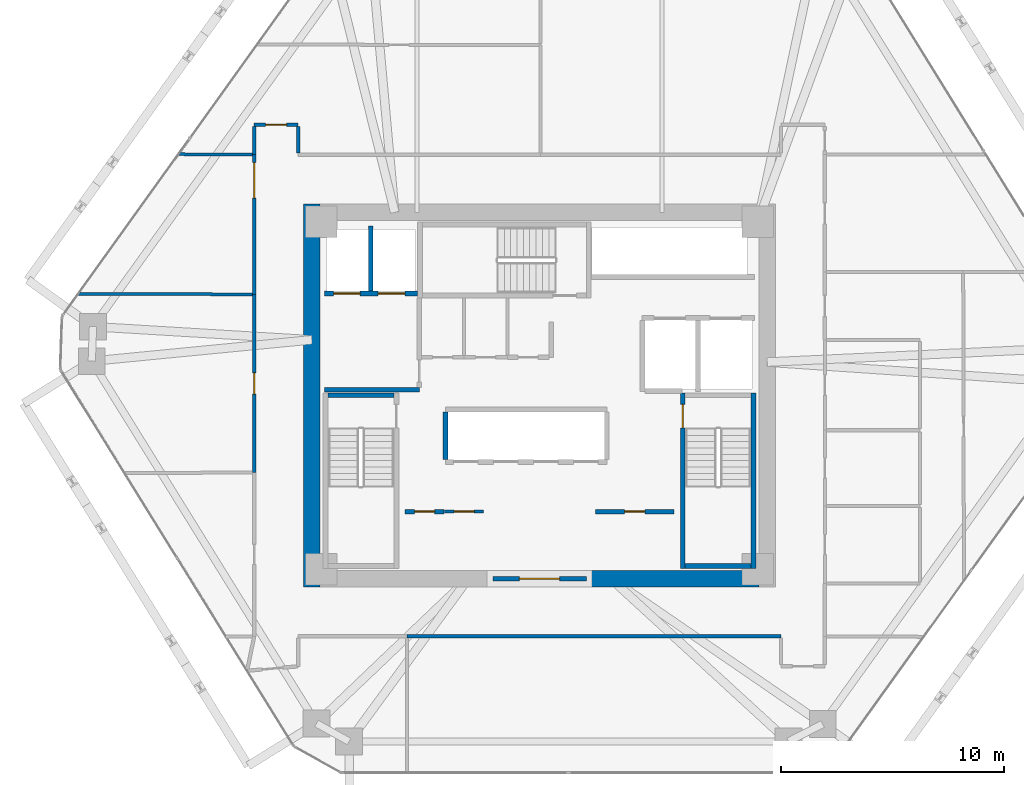
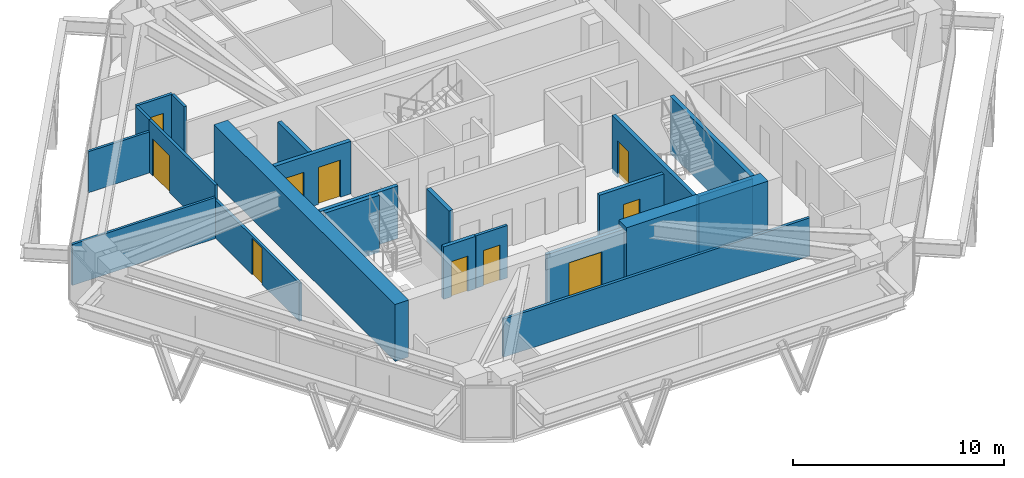
# One storey, part 10 of 13: 22 walls, 10 doors, 10 openings.
"""IFC4 building model written with IfcOpenShell, lengths in metres."""

from ifc_helpers import new_model, si_unit, direction, frame, frame_2d, origin, place, context, subcontext, project, spatial, rectangle, extrude, source, transform, mapped, material, layer, layer_set, type_object, type_shapes, element, fill, save


model = new_model("IFC4")

# Units and contexts
model_context = context("Model", 3, precision=1e-05, world=origin(), true_north=direction((0.0, 1.0)))
body_context = subcontext(model_context, "Body", "Model", "MODEL_VIEW")
ifc_project = project(units=[si_unit("LENGTHUNIT", "METRE"), si_unit("AREAUNIT", "SQUARE_METRE"), si_unit("VOLUMEUNIT", "CUBIC_METRE"), si_unit("PLANEANGLEUNIT", "RADIAN"), si_unit("MASSUNIT", "GRAM", prefix="KILO")], contexts=[model_context])

# Site, building, storey
site_placement = place(None, origin())
site = spatial("IfcSite", under=ifc_project, at=site_placement, CompositionType="ELEMENT")
building_placement = place(site_placement, origin())
building = spatial("IfcBuilding", under=site, at=building_placement, Name="Durnholm Broadcast Tower", CompositionType="ELEMENT")
storey_placement = place(building_placement, frame((0.0, 0.0, 133.800048828125)))
storey = spatial("IfcBuildingStorey", under=building, at=storey_placement, Name="L36", CompositionType="ELEMENT", Elevation=133.800048828125)

# Walls
ifc_material_1 = material(Name="Concrete C70/85", Category="concrete")
ifc_layer_1 = layer(ifc_material_1, 0.75)
ifc_layer_set_1 = layer_set([ifc_layer_1], Name="Concrete C70/85")
wall_type_1 = type_object("IfcWallType", Name="WALL-CW-750", PredefinedType="SHEAR", material=ifc_layer_set_1)
wall_1_placement = place(storey_placement, frame((-10.22509765625, -8.60009765625, 0.0), z_axis=(0.0, 0.0, 1.0), x_axis=(0.0, 1.0, 0.0)))
element("IfcWall", 1, at=wall_1_placement, inside=storey, type_object=wall_type_1, Name="L36 central core shear wall CW-WEST", PredefinedType="SHEAR", context=body_context, shape_type="SweptSolid", body=[
    extrude(rectangle(XDim=17.2001953125, YDim=0.75, at=frame_2d((8.60009765625, 0.0))), origin(), (0.0, 0.0, 1.0), 3.300048828125),
])
wall_2_placement = place(storey_placement, frame((2.10009765625, -8.22509765625, 0.0), z_axis=(0.0, 0.0, 1.0), x_axis=(1.0, 0.0, 0.0)))
element("IfcWall", 2, at=wall_2_placement, inside=storey, type_object=wall_type_1, Name="L36 central core shear wall CW-S2", PredefinedType="SHEAR", context=body_context, shape_type="SweptSolid", body=[
    extrude(rectangle(XDim=7.75, YDim=0.75, at=frame_2d((3.875, 0.0))), origin(), (0.0, 0.0, 1.0), 3.300048828125),
])

# Wall, opening, door
ifc_material_2 = material(Name="Fire-Rated Gypsum Shaftwall", Category="concrete")
ifc_layer_2 = layer(ifc_material_2, 0.199951171875)
ifc_layer_set_2 = layer_set([ifc_layer_2], Name="Fire-Rated Gypsum Shaftwall")
wall_type_2 = type_object("IfcWallType", Name="WALL-LOB-200", PredefinedType="SOLIDWALL", material=ifc_layer_set_2)
wall_3_placement = place(storey_placement, frame((-2.10009765625, -8.22509765625, 0.0), z_axis=(0.0, 0.0, 1.0), x_axis=(1.0, 0.0, 0.0)))
wall_3 = element("IfcWall", 3, at=wall_3_placement, inside=storey, type_object=wall_type_2, Name="L36 south core lobby fire screen", PredefinedType="SOLIDWALL", context=body_context, shape_type="SweptSolid", body=[
    extrude(rectangle(XDim=4.2001953125, YDim=0.199951171875, at=frame_2d((2.10009765625, 0.0))), origin(), (0.0, 0.0, 1.0), 3.044921875),
])
opening_1_placement = place(wall_3_placement, frame((1.199951171875, 0.0, 0.0)))
opening_1 = element("IfcOpeningElement", 4, at=opening_1_placement, cuts=wall_3, Name="Opening DP-60", PredefinedType="OPENING", context=body_context, shape_type="SweptSolid", body=[
    extrude(rectangle(XDim=1.800048828125, YDim=2.14990234375, at=frame_2d((0.89990234375, 1.074951171875))), frame((0.0, 0.10986328125, 0.0), z_axis=(0.0, -1.0, 0.0), x_axis=(1.0, 0.0, 0.0)), (0.0, 0.0, 1.0), 0.219970703125),
])
ifc_material_3 = material(Name="Fire-Rated Double Corridor Door", Category="steel")
ifc_layer_3 = layer(ifc_material_3, 0.050048828125)
ifc_layer_set_3 = layer_set([ifc_layer_3], Name="Fire-Rated Double Corridor Door")
door_type_1 = type_object("IfcDoorType", Name="DOOR-PAIR-FD60", OperationType="DOUBLE_DOOR_SINGLE_SWING", PredefinedType="DOOR", material=ifc_layer_set_3)
shared_shape_1 = source(origin(), body_context, "Body", "SweptSolid", [
    extrude(rectangle(XDim=1.800048828125, YDim=2.14990234375, at=frame_2d((0.89990234375, 1.074951171875))), frame((0.0, 0.02490234375, 0.0), z_axis=(0.0, -1.0, 0.0), x_axis=(1.0, 0.0, 0.0)), (0.0, 0.0, 1.0), 0.050048828125),
])
type_shapes(door_type_1, [shared_shape_1])
door_1_placement = place(opening_1_placement, origin())
door_1 = element("IfcDoor", 5, at=door_1_placement, inside=storey, type_object=door_type_1, Name="L36 south core lobby double fire door", OperationType="DOUBLE_DOOR_SINGLE_SWING", OverallHeight=2.14990234375, OverallWidth=1.800048828125, PredefinedType="DOOR", context=body_context, shape_type="MappedRepresentation", body=[
    mapped(shared_shape_1, transform((0.0, 0.0, 0.0), x_axis=(1.0, 0.0, 0.0), y_axis=(0.0, 1.0, 0.0), z_axis=(0.0, 0.0, 1.0), scale=1.0)),
])
fill(opening_1, door_1)

# Wall
wall_4_placement = place(storey_placement, frame((-9.64990234375, 0.25, 0.0), z_axis=(0.0, 0.0, 1.0), x_axis=(1.0, 0.0, 0.0)))
element("IfcWall", 6, at=wall_4_placement, inside=storey, type_object=wall_type_2, Name="L36 Fire Service Access Elevator lobby south wall", PredefinedType="SOLIDWALL", context=body_context, shape_type="SweptSolid", body=[
    extrude(rectangle(XDim=4.27001953125, YDim=0.199951171875, at=frame_2d((2.135009765625, 0.0))), origin(), (0.0, 0.0, 1.0), 3.044921875),
])

# Wall, opening, door
wall_5_placement = place(storey_placement, frame((-6.0400390625, -5.2099609375, 0.0), z_axis=(0.0, 0.0, 1.0), x_axis=(1.0, 0.0, 0.0)))
wall_5 = element("IfcWall", 7, at=wall_5_placement, inside=storey, type_object=wall_type_2, Name="L36 Media Fiber Patch Room corridor partition", PredefinedType="SOLIDWALL", context=body_context, shape_type="SweptSolid", body=[
    extrude(rectangle(XDim=1.760009765625, YDim=0.199951171875, at=frame_2d((0.8798828125, 0.0))), origin(), (0.0, 0.0, 1.0), 3.044921875),
])
opening_2_placement = place(wall_5_placement, frame((0.429931640625, 0.0, 0.0)))
opening_2 = element("IfcOpeningElement", 8, at=opening_2_placement, cuts=wall_5, Name="Opening DC-60L", PredefinedType="OPENING", context=body_context, shape_type="SweptSolid", body=[
    extrude(rectangle(XDim=0.89990234375, YDim=2.050048828125, at=frame_2d((0.449951171875, 1.02490234375))), frame((0.0, 0.10986328125, 0.0), z_axis=(0.0, -1.0, 0.0), x_axis=(1.0, 0.0, 0.0)), (0.0, 0.0, 1.0), 0.219970703125),
])
ifc_material_4 = material(Name="Fire-Rated Core Service Door", Category="steel")
ifc_layer_4 = layer(ifc_material_4, 0.050048828125)
ifc_layer_set_4 = layer_set([ifc_layer_4], Name="Fire-Rated Core Service Door")
door_type_2 = type_object("IfcDoorType", Name="DOOR-CORE-FD60-L", OperationType="NOTDEFINED", PredefinedType="DOOR", material=ifc_layer_set_4)
shared_shape_2 = source(origin(), body_context, "Body", "SweptSolid", [
    extrude(rectangle(XDim=0.89990234375, YDim=2.050048828125, at=frame_2d((0.449951171875, 1.02490234375))), frame((0.0, 0.02490234375, 0.0), z_axis=(0.0, -1.0, 0.0), x_axis=(1.0, 0.0, 0.0)), (0.0, 0.0, 1.0), 0.050048828125),
])
type_shapes(door_type_2, [shared_shape_2])
door_2_placement = place(opening_2_placement, origin())
door_2 = element("IfcDoor", 9, at=door_2_placement, inside=storey, type_object=door_type_2, Name="L36 Media Fiber Patch Room entrance door", OperationType="SINGLE_SWING_LEFT", OverallHeight=2.050048828125, OverallWidth=0.89990234375, PredefinedType="DOOR", context=body_context, shape_type="MappedRepresentation", body=[
    mapped(shared_shape_2, transform((0.0, 0.0, 0.0), x_axis=(1.0, 0.0, 0.0), y_axis=(0.0, 1.0, 0.0), z_axis=(0.0, 0.0, 1.0), scale=1.0)),
])
fill(opening_2, door_2)

wall_6_placement = place(storey_placement, frame((2.510009765625, -5.2099609375, 0.0), z_axis=(0.0, 0.0, 1.0), x_axis=(1.0, 0.0, 0.0)))
wall_6 = element("IfcWall", 10, at=wall_6_placement, inside=storey, type_object=wall_type_2, Name="L36 Telemetry Control Closet corridor partition", PredefinedType="SOLIDWALL", context=body_context, shape_type="SweptSolid", body=[
    extrude(rectangle(XDim=3.530029296875, YDim=0.199951171875, at=frame_2d((1.76513671875, 0.0))), origin(), (0.0, 0.0, 1.0), 3.044921875),
])
opening_3_placement = place(wall_6_placement, frame((1.31494140625, 0.0, 0.0)))
opening_3 = element("IfcOpeningElement", 11, at=opening_3_placement, cuts=wall_6, Name="Opening DC-60L", PredefinedType="OPENING", context=body_context, shape_type="SweptSolid", body=[
    extrude(rectangle(XDim=0.89990234375, YDim=2.050048828125, at=frame_2d((0.449951171875, 1.02490234375))), frame((0.0, 0.10986328125, 0.0), z_axis=(0.0, -1.0, 0.0), x_axis=(1.0, 0.0, 0.0)), (0.0, 0.0, 1.0), 0.219970703125),
])
door_3_placement = place(opening_3_placement, origin())
door_3 = element("IfcDoor", 12, at=door_3_placement, inside=storey, type_object=door_type_2, Name="L36 Telemetry Control Closet entrance door", OperationType="SINGLE_SWING_LEFT", OverallHeight=2.050048828125, OverallWidth=0.89990234375, PredefinedType="DOOR", context=body_context, shape_type="MappedRepresentation", body=[
    mapped(shared_shape_2, transform((0.0, 0.0, 0.0), x_axis=(1.0, 0.0, 0.0), y_axis=(0.0, 1.0, 0.0), z_axis=(0.0, 0.0, 1.0), scale=1.0)),
])
fill(opening_3, door_3)

# Walls
ifc_material_5 = material(Name="Gypsum Metal Stud Partition", Category="concrete")
ifc_layer_5 = layer(ifc_material_5, 0.135009765625)
ifc_layer_set_5 = layer_set([ifc_layer_5], Name="Gypsum Metal Stud Partition")
wall_type_3 = type_object("IfcWallType", Name="WALL-PART-135", PredefinedType="PARTITIONING", material=ifc_layer_set_5)
wall_7_placement = place(storey_placement, frame((-12.888916015625, 10.810546875, 0.0), z_axis=(0.0, 0.0, 1.0), x_axis=(-0.999976657862, 0.006832549348, 0.0)))
element("IfcWall", 13, at=wall_7_placement, inside=storey, type_object=wall_type_3, Name="L36 room dividing partition 10.17", PredefinedType="PARTITIONING", context=body_context, shape_type="SweptSolid", body=[
    extrude(rectangle(XDim=3.322998046875, YDim=0.135009765625, at=frame_2d((1.66162109375, 0.0))), origin(), (0.0, 0.0, 1.0), 2.3798828125),
])
wall_8_placement = place(storey_placement, frame((-20.71630859375, 4.563232421875, 0.0), z_axis=(0.0, 0.0, 1.0), x_axis=(0.999995701977, -0.002931898443, 0.0)))
element("IfcWall", 14, at=wall_8_placement, inside=storey, type_object=wall_type_3, Name="L36 room dividing partition 16.17", PredefinedType="PARTITIONING", context=body_context, shape_type="SweptSolid", body=[
    extrude(rectangle(XDim=7.827392578125, YDim=0.135009765625, at=frame_2d((3.91357421875, 0.0))), origin(), (0.0, 0.0, 1.0), 2.3798828125),
])

# Wall, opening, door
ifc_material_6 = material(Name="Acoustic Gypsum Stud Partition", Category="concrete")
ifc_layer_6 = layer(ifc_material_6, 0.14990234375)
ifc_layer_set_6 = layer_set([ifc_layer_6], Name="Acoustic Gypsum Stud Partition")
wall_type_4 = type_object("IfcWallType", Name="WALL-PART-150", PredefinedType="PARTITIONING", material=ifc_layer_set_6)
wall_9_placement = place(storey_placement, frame((-4.260009765625, -5.2099609375, 0.0), z_axis=(0.0, 0.0, 1.0), x_axis=(1.0, 0.0, 0.0)))
wall_9 = element("IfcWall", 15, at=wall_9_placement, inside=storey, type_object=wall_type_4, Name="L36 Copy and Print Room corridor partition", PredefinedType="PARTITIONING", context=body_context, shape_type="SweptSolid", body=[
    extrude(rectangle(XDim=1.75, YDim=0.14990234375, at=frame_2d((0.875, 0.0))), origin(), (0.0, 0.0, 1.0), 3.044921875),
])
opening_4_placement = place(wall_9_placement, frame((0.425048828125, 0.0, 0.0)))
opening_4 = element("IfcOpeningElement", 16, at=opening_4_placement, cuts=wall_9, Name="Opening DC-60R", PredefinedType="OPENING", context=body_context, shape_type="SweptSolid", body=[
    extrude(rectangle(XDim=0.89990234375, YDim=2.050048828125, at=frame_2d((0.449951171875, 1.02490234375))), frame((0.0, 0.0849609375, 0.0), z_axis=(0.0, -1.0, 0.0), x_axis=(1.0, 0.0, 0.0)), (0.0, 0.0, 1.0), 0.169921875),
])
ifc_layer_7 = layer(ifc_material_4, 0.050048828125)
ifc_layer_set_7 = layer_set([ifc_layer_7], Name="Fire-Rated Core Service Door")
door_type_3 = type_object("IfcDoorType", Name="DOOR-CORE-FD60-R", OperationType="NOTDEFINED", PredefinedType="DOOR", material=ifc_layer_set_7)
shared_shape_3 = source(origin(), body_context, "Body", "SweptSolid", [
    extrude(rectangle(XDim=0.89990234375, YDim=2.050048828125, at=frame_2d((0.449951171875, 1.02490234375))), frame((0.0, 0.02490234375, 0.0), z_axis=(0.0, -1.0, 0.0), x_axis=(1.0, 0.0, 0.0)), (0.0, 0.0, 1.0), 0.050048828125),
])
type_shapes(door_type_3, [shared_shape_3])
door_4_placement = place(opening_4_placement, origin())
door_4 = element("IfcDoor", 17, at=door_4_placement, inside=storey, type_object=door_type_3, Name="L36 Copy and Print Room entrance door", OperationType="SINGLE_SWING_RIGHT", OverallHeight=2.050048828125, OverallWidth=0.89990234375, PredefinedType="DOOR", context=body_context, shape_type="MappedRepresentation", body=[
    mapped(shared_shape_3, transform((0.0, 0.0, 0.0), x_axis=(1.0, 0.0, 0.0), y_axis=(0.0, 1.0, 0.0), z_axis=(0.0, 0.0, 1.0), scale=1.0)),
])
fill(opening_4, door_4)

wall_10_placement = place(storey_placement, frame((-10.840087890625, 12.159912109375, 0.0), z_axis=(0.0, 0.0, 1.0), x_axis=(-1.0, 0.0, 0.0)))
wall_10 = element("IfcWall", 18, at=wall_10_placement, inside=storey, type_object=wall_type_4, Name="L36 Interactive Media Hall corridor partition", PredefinedType="PARTITIONING", context=body_context, shape_type="SweptSolid", body=[
    extrude(rectangle(XDim=1.969970703125, YDim=0.14990234375, at=frame_2d((0.98486328125, 0.0))), origin(), (0.0, 0.0, 1.0), 3.044921875),
])
opening_5_placement = place(wall_10_placement, frame((0.510009765625, 0.0, 0.0)))
opening_5 = element("IfcOpeningElement", 19, at=opening_5_placement, cuts=wall_10, Name="Opening DR-95R", PredefinedType="OPENING", context=body_context, shape_type="SweptSolid", body=[
    extrude(rectangle(XDim=0.949951171875, YDim=2.10009765625, at=frame_2d((0.47509765625, 1.050048828125))), frame((0.0, 0.0849609375, 0.0), z_axis=(0.0, -1.0, 0.0), x_axis=(1.0, 0.0, 0.0)), (0.0, 0.0, 1.0), 0.169921875),
])
ifc_material_7 = material(Name="Acoustic Oak Veneer Timber Door", Category="wood")
ifc_layer_8 = layer(ifc_material_7, 0.050048828125)
ifc_layer_set_8 = layer_set([ifc_layer_8], Name="Acoustic Oak Veneer Timber Door")
door_type_4 = type_object("IfcDoorType", Name="DOOR-RM-950R", OperationType="NOTDEFINED", PredefinedType="DOOR", material=ifc_layer_set_8)
shared_shape_4 = source(origin(), body_context, "Body", "SweptSolid", [
    extrude(rectangle(XDim=0.949951171875, YDim=2.10009765625, at=frame_2d((0.47509765625, 1.050048828125))), frame((0.0, 0.02490234375, 0.0), z_axis=(0.0, -1.0, 0.0), x_axis=(1.0, 0.0, 0.0)), (0.0, 0.0, 1.0), 0.050048828125),
])
type_shapes(door_type_4, [shared_shape_4])
door_5_placement = place(opening_5_placement, origin())
door_5 = element("IfcDoor", 20, at=door_5_placement, inside=storey, type_object=door_type_4, Name="L36 Interactive Media Hall entrance door", OperationType="SINGLE_SWING_RIGHT", OverallHeight=2.10009765625, OverallWidth=0.949951171875, PredefinedType="DOOR", context=body_context, shape_type="MappedRepresentation", body=[
    mapped(shared_shape_4, transform((0.0, 0.0, 0.0), x_axis=(1.0, 0.0, 0.0), y_axis=(0.0, 1.0, 0.0), z_axis=(0.0, 0.0, 1.0), scale=1.0)),
])
fill(opening_5, door_5)

# Walls
wall_11_placement = place(storey_placement, frame((-10.840087890625, 10.888916015625, 0.0), z_axis=(0.0, 0.0, 1.0), x_axis=(0.0, 1.0, 0.0)))
element("IfcWall", 21, at=wall_11_placement, inside=storey, type_object=wall_type_4, Name="L36 Interactive Media Hall corridor partition", PredefinedType="PARTITIONING", context=body_context, shape_type="SweptSolid", body=[
    extrude(rectangle(XDim=1.192138671875, YDim=0.14990234375, at=frame_2d((0.59619140625, 0.0))), origin(), (0.0, 0.0, 1.0), 3.044921875),
])
wall_12_placement = place(storey_placement, frame((-12.81005859375, 12.0810546875, 0.0), z_axis=(0.0, 0.0, 1.0), x_axis=(0.0, -1.0, 0.0)))
element("IfcWall", 22, at=wall_12_placement, inside=storey, type_object=wall_type_4, Name="L36 Interactive Media Hall corridor partition", PredefinedType="PARTITIONING", context=body_context, shape_type="SweptSolid", body=[
    extrude(rectangle(XDim=1.27099609375, YDim=0.14990234375, at=frame_2d((0.635498046875, 0.0))), origin(), (0.0, 0.0, 1.0), 3.044921875),
])
wall_13_placement = place(storey_placement, frame((-5.9599609375, -10.81005859375, 0.0), z_axis=(0.0, 0.0, 1.0), x_axis=(1.0, 0.0, 0.0)))
element("IfcWall", 23, at=wall_13_placement, inside=storey, type_object=wall_type_4, Name="L36 Studio Kitchen corridor partition", PredefinedType="PARTITIONING", context=body_context, shape_type="SweptSolid", body=[
    extrude(rectangle(XDim=16.800048828125, YDim=0.14990234375, at=frame_2d((8.39990234375, 0.0))), origin(), (0.0, 0.0, 1.0), 2.212158203125),
])

# Wall, opening, door
wall_14_placement = place(storey_placement, frame((-12.81005859375, 4.5400390625, 0.0), z_axis=(0.0, 0.0, 1.0), x_axis=(0.0, -1.0, 0.0)))
wall_14 = element("IfcWall", 24, at=wall_14_placement, inside=storey, type_object=wall_type_4, Name="L36 Open Plan Broadcast Workspace 2 corridor partition", PredefinedType="PARTITIONING", context=body_context, shape_type="SweptSolid", body=[
    extrude(rectangle(XDim=8.0, YDim=0.14990234375, at=frame_2d((4.0, 0.0))), origin(), (0.0, 0.0, 1.0), 2.212158203125),
])
opening_6_placement = place(wall_14_placement, frame((3.52490234375, 0.0, 0.0)))
opening_6 = element("IfcOpeningElement", 25, at=opening_6_placement, cuts=wall_14, Name="Opening DR-95L", PredefinedType="OPENING", context=body_context, shape_type="SweptSolid", body=[
    extrude(rectangle(XDim=0.949951171875, YDim=2.10009765625, at=frame_2d((0.47509765625, 1.050048828125))), frame((0.0, 0.0849609375, 0.0), z_axis=(0.0, -1.0, 0.0), x_axis=(1.0, 0.0, 0.0)), (0.0, 0.0, 1.0), 0.169921875),
])
ifc_layer_9 = layer(ifc_material_7, 0.050048828125)
ifc_layer_set_9 = layer_set([ifc_layer_9], Name="Acoustic Oak Veneer Timber Door")
door_type_5 = type_object("IfcDoorType", Name="DOOR-RM-950L", OperationType="NOTDEFINED", PredefinedType="DOOR", material=ifc_layer_set_9)
shared_shape_5 = source(origin(), body_context, "Body", "SweptSolid", [
    extrude(rectangle(XDim=0.949951171875, YDim=2.10009765625, at=frame_2d((0.47509765625, 1.050048828125))), frame((0.0, 0.02490234375, 0.0), z_axis=(0.0, -1.0, 0.0), x_axis=(1.0, 0.0, 0.0)), (0.0, 0.0, 1.0), 0.050048828125),
])
type_shapes(door_type_5, [shared_shape_5])
door_6_placement = place(opening_6_placement, origin())
door_6 = element("IfcDoor", 26, at=door_6_placement, inside=storey, type_object=door_type_5, Name="L36 Open Plan Broadcast Workspace 2 entrance door", OperationType="SINGLE_SWING_LEFT", OverallHeight=2.10009765625, OverallWidth=0.949951171875, PredefinedType="DOOR", context=body_context, shape_type="MappedRepresentation", body=[
    mapped(shared_shape_5, transform((0.0, 0.0, 0.0), x_axis=(1.0, 0.0, 0.0), y_axis=(0.0, 1.0, 0.0), z_axis=(0.0, 0.0, 1.0), scale=1.0)),
])
fill(opening_6, door_6)

wall_15_placement = place(storey_placement, frame((-12.81005859375, 10.81005859375, 0.0), z_axis=(0.0, 0.0, 1.0), x_axis=(0.0, -1.0, 0.0)))
wall_15 = element("IfcWall", 27, at=wall_15_placement, inside=storey, type_object=wall_type_4, Name="L36 Virtual Production Auditorium corridor partition", PredefinedType="PARTITIONING", context=body_context, shape_type="SweptSolid", body=[
    extrude(rectangle(XDim=6.27001953125, YDim=0.14990234375, at=frame_2d((3.135009765625, 0.0))), origin(), (0.0, 0.0, 1.0), 3.044921875),
])
opening_7_placement = place(wall_15_placement, frame((0.35009765625, 0.0, 0.0)))
opening_7 = element("IfcOpeningElement", 28, at=opening_7_placement, cuts=wall_15, Name="Opening DST-160", PredefinedType="OPENING", context=body_context, shape_type="SweptSolid", body=[
    extrude(rectangle(XDim=1.60009765625, YDim=2.14990234375, at=frame_2d((0.800048828125, 1.074951171875))), frame((0.0, 0.0849609375, 0.0), z_axis=(0.0, -1.0, 0.0), x_axis=(1.0, 0.0, 0.0)), (0.0, 0.0, 1.0), 0.169921875),
])
ifc_material_8 = material(Name="Acoustic Broadcast Studio Sound-Lock Door", Category="steel")
ifc_layer_10 = layer(ifc_material_8, 0.050048828125)
ifc_layer_set_10 = layer_set([ifc_layer_10], Name="Acoustic Broadcast Studio Sound-Lock Door")
door_type_6 = type_object("IfcDoorType", Name="DOOR-STU-1600", OperationType="DOUBLE_DOOR_SINGLE_SWING", PredefinedType="DOOR", material=ifc_layer_set_10)
shared_shape_6 = source(origin(), body_context, "Body", "SweptSolid", [
    extrude(rectangle(XDim=1.60009765625, YDim=2.14990234375, at=frame_2d((0.800048828125, 1.074951171875))), frame((0.0, 0.02490234375, 0.0), z_axis=(0.0, -1.0, 0.0), x_axis=(1.0, 0.0, 0.0)), (0.0, 0.0, 1.0), 0.050048828125),
])
type_shapes(door_type_6, [shared_shape_6])
door_7_placement = place(opening_7_placement, origin())
door_7 = element("IfcDoor", 29, at=door_7_placement, inside=storey, type_object=door_type_6, Name="L36 Virtual Production Auditorium entrance door", OperationType="DOUBLE_DOOR_SINGLE_SWING", OverallHeight=2.14990234375, OverallWidth=1.60009765625, PredefinedType="DOOR", context=body_context, shape_type="MappedRepresentation", body=[
    mapped(shared_shape_6, transform((0.0, 0.0, 0.0), x_axis=(1.0, 0.0, 0.0), y_axis=(0.0, 1.0, 0.0), z_axis=(0.0, 0.0, 1.0), scale=1.0)),
])
fill(opening_7, door_7)

# Wall, openings, doors
ifc_material_9 = material(Name="Concrete Blockwork C30/37", Category="masonry")
ifc_layer_11 = layer(ifc_material_9, 0.219970703125)
ifc_layer_set_11 = layer_set([ifc_layer_11], Name="Concrete Blockwork C30/37")
wall_type_5 = type_object("IfcWallType", Name="WALL-SHAFT-220", PredefinedType="SOLIDWALL", material=ifc_layer_set_11)
wall_16_placement = place(storey_placement, frame((-9.64990234375, 4.580078125, 0.0), z_axis=(0.0, 0.0, 1.0), x_axis=(1.0, 0.0, 0.0)))
wall_16 = element("IfcWall", 30, at=wall_16_placement, inside=storey, type_object=wall_type_5, Name="L36 FSAE hoistway front fire wall", PredefinedType="SOLIDWALL", context=body_context, shape_type="SweptSolid", body=[
    extrude(rectangle(XDim=4.1748046875, YDim=0.219970703125, at=frame_2d((2.08740234375, 0.0))), origin(), (0.0, 0.0, 1.0), 3.044921875),
])
opening_8_placement = place(wall_16_placement, frame((0.39990234375, 0.0, 0.0)))
opening_8 = element("IfcOpeningElement", 31, at=opening_8_placement, cuts=wall_16, Name="Opening LD-FSAE-2", PredefinedType="OPENING", context=body_context, shape_type="SweptSolid", body=[
    extrude(rectangle(XDim=1.199951171875, YDim=2.14990234375, at=frame_2d((0.60009765625, 1.074951171875))), frame((0.0, 0.1201171875, 0.0), z_axis=(0.0, -1.0, 0.0), x_axis=(1.0, 0.0, 0.0)), (0.0, 0.0, 1.0), 0.239990234375),
])
opening_9_placement = place(wall_16_placement, frame((2.39990234375, 0.0, 0.0)))
opening_9 = element("IfcOpeningElement", 32, at=opening_9_placement, cuts=wall_16, Name="Opening LD-FSAE-1", PredefinedType="OPENING", context=body_context, shape_type="SweptSolid", body=[
    extrude(rectangle(XDim=1.199951171875, YDim=2.14990234375, at=frame_2d((0.60009765625, 1.074951171875))), frame((0.0, 0.1201171875, 0.0), z_axis=(0.0, -1.0, 0.0), x_axis=(1.0, 0.0, 0.0)), (0.0, 0.0, 1.0), 0.239990234375),
])
ifc_material_10 = material(Name="Fire Service Access Sliding Landing Door", Category="steel")
ifc_layer_12 = layer(ifc_material_10, 0.050048828125)
ifc_layer_set_12 = layer_set([ifc_layer_12], Name="Fire Service Access Sliding Landing Door")
door_type_7 = type_object("IfcDoorType", Name="DOOR-LIFT-FSAE", OperationType="DOUBLE_DOOR_SLIDING", PredefinedType="DOOR", material=ifc_layer_set_12)
shared_shape_7 = source(origin(), body_context, "Body", "SweptSolid", [
    extrude(rectangle(XDim=1.199951171875, YDim=2.14990234375, at=frame_2d((0.60009765625, 1.074951171875))), frame((0.0, 0.02490234375, 0.0), z_axis=(0.0, -1.0, 0.0), x_axis=(1.0, 0.0, 0.0)), (0.0, 0.0, 1.0), 0.050048828125),
])
type_shapes(door_type_7, [shared_shape_7])
door_8_placement = place(opening_8_placement, origin())
door_8 = element("IfcDoor", 33, at=door_8_placement, inside=storey, type_object=door_type_7, Name="L36 Fire Service Access Elevator FSAE-2 sliding landing door", OperationType="DOUBLE_DOOR_SLIDING", OverallHeight=2.14990234375, OverallWidth=1.199951171875, PredefinedType="DOOR", context=body_context, shape_type="MappedRepresentation", body=[
    mapped(shared_shape_7, transform((0.0, 0.0, 0.0), x_axis=(1.0, 0.0, 0.0), y_axis=(0.0, 1.0, 0.0), z_axis=(0.0, 0.0, 1.0), scale=1.0)),
])
fill(opening_8, door_8)
door_9_placement = place(opening_9_placement, origin())
door_9 = element("IfcDoor", 34, at=door_9_placement, inside=storey, type_object=door_type_7, Name="L36 Fire Service Access Elevator FSAE-1 sliding landing door", OperationType="DOUBLE_DOOR_SLIDING", OverallHeight=2.14990234375, OverallWidth=1.199951171875, PredefinedType="DOOR", context=body_context, shape_type="MappedRepresentation", body=[
    mapped(shared_shape_7, transform((0.0, 0.0, 0.0), x_axis=(1.0, 0.0, 0.0), y_axis=(0.0, 1.0, 0.0), z_axis=(0.0, 0.0, 1.0), scale=1.0)),
])
fill(opening_9, door_9)

# Walls
wall_17_placement = place(storey_placement, frame((-7.580078125, 4.694091796875, 0.0), z_axis=(0.0, 0.0, 1.0), x_axis=(0.0, 1.0, 0.0)))
element("IfcWall", 35, at=wall_17_placement, inside=storey, type_object=wall_type_5, Name="L36 FSAE shaft divider wall", PredefinedType="SOLIDWALL", context=body_context, shape_type="SweptSolid", body=[
    extrude(rectangle(XDim=2.906005859375, YDim=0.219970703125, at=frame_2d((1.453125, 0.0))), origin(), (0.0, 0.0, 1.0), 3.044921875),
])
wall_18_placement = place(storey_placement, frame((-4.219970703125, -2.865966796875, 0.0), z_axis=(0.0, 0.0, 1.0), x_axis=(0.0, 1.0, 0.0)))
element("IfcWall", 36, at=wall_18_placement, inside=storey, type_object=wall_type_5, Name="L36 mid-rise bank P2 west shaft wall", PredefinedType="SOLIDWALL", context=body_context, shape_type="SweptSolid", body=[
    extrude(rectangle(XDim=2.132080078125, YDim=0.219970703125, at=frame_2d((1.06591796875, 0.0))), origin(), (0.0, 0.0, 1.0), 3.044921875),
])
ifc_material_11 = material(Name="Concrete C50/60", Category="concrete")
ifc_layer_13 = layer(ifc_material_11, 0.219970703125)
ifc_layer_set_13 = layer_set([ifc_layer_13], Name="Concrete C50/60")
wall_type_6 = type_object("IfcWallType", Name="WALL-SW-220", PredefinedType="SHEAR", material=ifc_layer_set_13)
wall_19_placement = place(storey_placement, frame((-6.5400390625, 0.010009765625, -0.239990234375), z_axis=(0.0, 0.0, 1.0), x_axis=(-1.0, 0.0, 0.0)))
element("IfcWall", 37, at=wall_19_placement, inside=storey, type_object=wall_type_6, Name="L36 stair ST-1 structural shaft wall N", PredefinedType="SHEAR", context=body_context, shape_type="SweptSolid", body=[
    extrude(rectangle(XDim=2.9599609375, YDim=0.219970703125, at=frame_2d((1.47998046875, 0.0))), origin(), (0.0, 0.0, 1.0), 3.300048828125),
])
wall_20_placement = place(storey_placement, frame((9.610107421875, -7.77001953125, -0.239990234375), z_axis=(0.0, 0.0, 1.0), x_axis=(0.0, 1.0, 0.0)))
element("IfcWall", 38, at=wall_20_placement, inside=storey, type_object=wall_type_6, Name="L36 stair ST-2 structural shaft wall E", PredefinedType="SHEAR", context=body_context, shape_type="SweptSolid", body=[
    extrude(rectangle(XDim=7.89013671875, YDim=0.219970703125, at=frame_2d((3.945068359375, 0.0))), origin(), (0.0, 0.0, 1.0), 3.300048828125),
])

# Wall, opening, door
wall_21_placement = place(storey_placement, frame((6.429931640625, 0.1201171875, -0.239990234375), z_axis=(0.0, 0.0, 1.0), x_axis=(0.0, -1.0, 0.0)))
wall_21 = element("IfcWall", 39, at=wall_21_placement, inside=storey, type_object=wall_type_6, Name="L36 stair ST-2 structural shaft wall W", PredefinedType="SHEAR", context=body_context, shape_type="SweptSolid", body=[
    extrude(rectangle(XDim=7.89013671875, YDim=0.219970703125, at=frame_2d((3.945068359375, 0.0))), origin(), (0.0, 0.0, 1.0), 3.300048828125),
])
opening_10_placement = place(wall_21_placement, frame((0.52001953125, 0.0, 0.0)))
opening_10 = element("IfcOpeningElement", 40, at=opening_10_placement, cuts=wall_21, Name="Opening DS-90R", PredefinedType="OPENING", context=body_context, shape_type="SweptSolid", body=[
    extrude(rectangle(XDim=1.050048828125, YDim=2.14990234375, at=frame_2d((0.52490234375, 1.074951171875))), frame((0.0, 0.1201171875, 0.0), z_axis=(0.0, -1.0, 0.0), x_axis=(1.0, 0.0, 0.0)), (0.0, 0.0, 1.0), 0.239990234375),
])
ifc_material_12 = material(Name="Fire-Rated Steel Door", Category="steel")
ifc_layer_14 = layer(ifc_material_12, 0.050048828125)
ifc_layer_set_14 = layer_set([ifc_layer_14], Name="Fire-Rated Steel Door")
door_type_8 = type_object("IfcDoorType", Name="DOOR-ST-FD90-R", OperationType="NOTDEFINED", PredefinedType="DOOR", material=ifc_layer_set_14)
shared_shape_8 = source(origin(), body_context, "Body", "SweptSolid", [
    extrude(rectangle(XDim=1.050048828125, YDim=2.14990234375, at=frame_2d((0.52490234375, 1.074951171875))), frame((0.0, 0.02490234375, 0.0), z_axis=(0.0, -1.0, 0.0), x_axis=(1.0, 0.0, 0.0)), (0.0, 0.0, 1.0), 0.050048828125),
])
type_shapes(door_type_8, [shared_shape_8])
door_10_placement = place(opening_10_placement, origin())
door_10 = element("IfcDoor", 41, at=door_10_placement, inside=storey, type_object=door_type_8, Name="L36 exit stair ST-2 fire door", OperationType="SINGLE_SWING_RIGHT", OverallHeight=2.14990234375, OverallWidth=1.050048828125, PredefinedType="DOOR", context=body_context, shape_type="MappedRepresentation", body=[
    mapped(shared_shape_8, transform((0.0, 0.0, 0.0), x_axis=(1.0, 0.0, 0.0), y_axis=(0.0, 1.0, 0.0), z_axis=(0.0, 0.0, 1.0), scale=1.0)),
])
fill(opening_10, door_10)

# Wall
wall_22_placement = place(storey_placement, frame((6.5400390625, -7.659912109375, -0.239990234375), z_axis=(0.0, 0.0, 1.0), x_axis=(1.0, 0.0, 0.0)))
element("IfcWall", 42, at=wall_22_placement, inside=storey, type_object=wall_type_6, Name="L36 stair ST-2 structural shaft wall S", PredefinedType="SHEAR", context=body_context, shape_type="SweptSolid", body=[
    extrude(rectangle(XDim=2.9599609375, YDim=0.219970703125, at=frame_2d((1.47998046875, 0.0))), origin(), (0.0, 0.0, 1.0), 3.300048828125),
])

save(model, "model.ifc")
